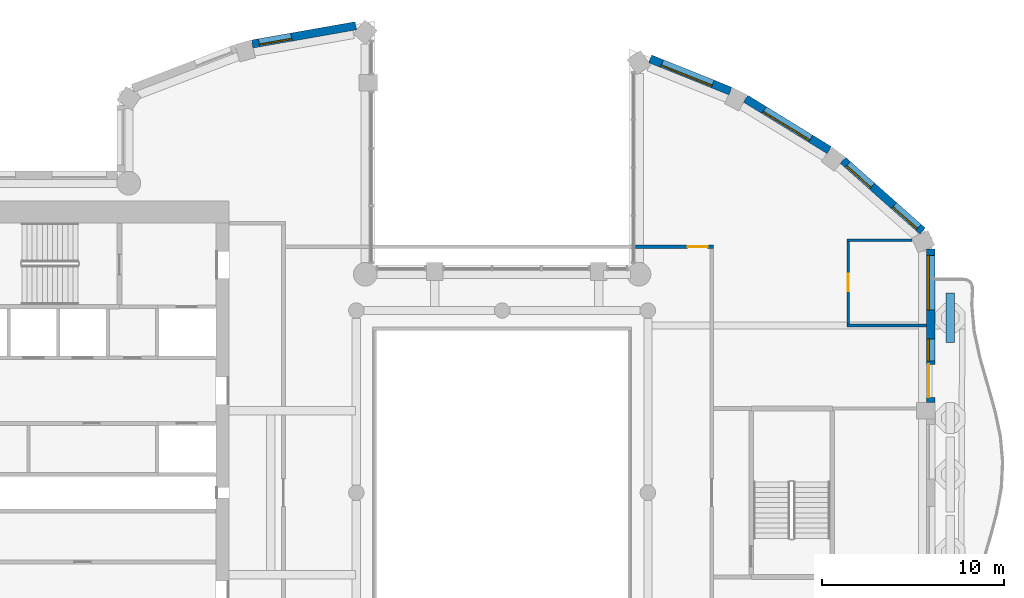
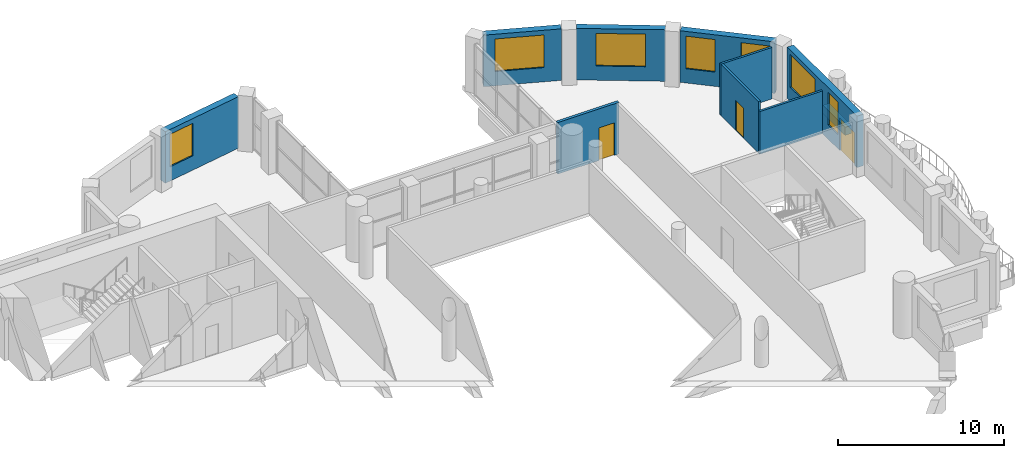
# One storey, part 7 of 14: 10 walls, 7 windows, 3 doors, 10 openings.
"""IFC4 building model written with IfcOpenShell, lengths in metres."""

from ifc_helpers import new_model, si_unit, direction, frame, frame_2d, origin, place, context, subcontext, project, spatial, rectangle, extrude, material, layer, layer_set, type_object, element, fill, save


model = new_model("IFC4")

# Units and contexts
model_context = context("Model", 3, precision=1e-05, world=origin(), true_north=direction((0.0, 1.0)))
body_context = subcontext(model_context, "Body", "Model", "MODEL_VIEW")
ifc_project = project(units=[si_unit("LENGTHUNIT", "METRE"), si_unit("AREAUNIT", "SQUARE_METRE"), si_unit("VOLUMEUNIT", "CUBIC_METRE"), si_unit("PLANEANGLEUNIT", "RADIAN"), si_unit("MASSUNIT", "GRAM", prefix="KILO")], contexts=[model_context])

# Site, building, storey
site_placement = place(None, origin())
site = spatial("IfcSite", under=ifc_project, at=site_placement, CompositionType="ELEMENT")
building_placement = place(site_placement, origin())
building = spatial("IfcBuilding", under=site, at=building_placement, Name="Cypress Arch Tower", CompositionType="ELEMENT")
storey_placement = place(building_placement, frame((0.0, 0.0, 255.699951171875)))
storey = spatial("IfcBuildingStorey", under=building, at=storey_placement, Name="L57", CompositionType="ELEMENT", Elevation=255.699951171875)

# Wall
ifc_material_1 = material(Name="Concrete C40/50, waterproofed", Category="concrete")
ifc_layer_1 = layer(ifc_material_1, 0.449951171875)
ifc_layer_set_1 = layer_set([ifc_layer_1], Name="Balcony planter wall PW450")
wall_type_1 = type_object("IfcWallType", Name="Balcony planter wall PW450", PredefinedType="SOLIDWALL", material=ifc_layer_set_1)
wall_1_placement = place(storey_placement, frame((25.60009765625, 8.25, 0.0), z_axis=(0.0, 0.0, 1.0), x_axis=(0.0, 1.0, 0.0)))
element("IfcWall", 1, at=wall_1_placement, inside=storey, type_object=wall_type_1, Name="Balcony planter wall L57-C17.5", PredefinedType="SOLIDWALL", context=body_context, shape_type="SweptSolid", body=[
    extrude(rectangle(XDim=2.699951171875, YDim=0.449951171875, at=frame_2d((1.35009765625, 0.0))), origin(), (0.0, 0.0, 1.0), 0.60009765625),
])

# Wall, opening, window
ifc_material_2 = material(Name="Brick (red buff blend)", Category="masonry")
ifc_layer_2 = layer(ifc_material_2, 0.449951171875)
ifc_layer_set_2 = layer_set([ifc_layer_2], Name="Brick pier and spandrel wall BW450")
wall_type_2 = type_object("IfcWallType", Name="Brick pier and spandrel wall BW450", PredefinedType="SOLIDWALL", material=ifc_layer_set_2)
wall_2_placement = place(storey_placement, frame((-7.028564453125, 25.63232421875, 0.0), z_axis=(0.0, 0.0, 1.0), x_axis=(-0.984797606634, -0.173705710808, 0.0)))
wall_2 = element("IfcWall", 2, at=wall_2_placement, inside=storey, type_object=wall_type_2, Name="Brick wall L57 C03.0", PredefinedType="SOLIDWALL", context=body_context, shape_type="SweptSolid", body=[
    extrude(rectangle(XDim=5.772216796875, YDim=0.449951171875, at=frame_2d((2.88623046875, 0.0))), origin(), (0.0, 0.0, 1.0), 3.800048828125),
])
opening_1_placement = place(wall_2_placement, frame((3.59326171875, 0.0, 1.050048828125)))
opening_1 = element("IfcOpeningElement", 3, at=opening_1_placement, cuts=wall_2, Name="Opening W180O", PredefinedType="OPENING", context=body_context, shape_type="SweptSolid", body=[
    extrude(rectangle(XDim=1.800048828125, YDim=2.39990234375, at=frame_2d((0.89990234375, 1.199951171875))), frame((0.0, 0.23486328125, 0.0), z_axis=(0.0, -1.0, 0.0), x_axis=(1.0, 0.0, 0.0)), (0.0, 0.0, 1.0), 0.469970703125),
])
ifc_material_3 = material(Name="Anodised aluminium, bronze finish, clear low-emissivity double glazing", Category="aluminium")
window_type_1 = type_object("IfcWindowType", Name="Window Office 1800x2400", PartitioningType="SINGLE_PANEL", PredefinedType="WINDOW", material=ifc_material_3)
window_1_placement = place(opening_1_placement, origin())
window_1 = element("IfcWindow", 4, at=window_1_placement, inside=storey, type_object=window_type_1, Name="Window L57 C03.0.2", OverallHeight=2.39990234375, OverallWidth=1.800048828125, PartitioningType="SINGLE_PANEL", PredefinedType="WINDOW", context=body_context, shape_type="SweptSolid", body=[
    extrude(rectangle(XDim=1.800048828125, YDim=2.39990234375, at=frame_2d((0.89990234375, 1.199951171875))), frame((0.0, 0.135009765625, 0.0), z_axis=(0.0, -1.0, 0.0), x_axis=(1.0, 0.0, 0.0)), (0.0, 0.0, 1.0), 0.06005859375),
])
fill(opening_1, window_1)

# Wall, openings, door, windows
wall_3_placement = place(storey_placement, frame((24.52490234375, 4.949951171875, 0.0), z_axis=(0.0, 0.0, 1.0), x_axis=(0.0, 1.0, 0.0)))
wall_3 = element("IfcWall", 5, at=wall_3_placement, inside=storey, type_object=wall_type_2, Name="Brick wall L57 C17.2", PredefinedType="SOLIDWALL", context=body_context, shape_type="SweptSolid", body=[
    extrude(rectangle(XDim=8.421875, YDim=0.449951171875, at=frame_2d((4.2109375, 0.0))), origin(), (0.0, 0.0, 1.0), 3.800048828125),
])
opening_2_placement = place(wall_3_placement, frame((0.291259765625, 0.0, 0.0)))
opening_2 = element("IfcOpeningElement", 6, at=opening_2_placement, cuts=wall_3, Name="Opening D-L57-C17.2.1", PredefinedType="OPENING", context=body_context, shape_type="SweptSolid", body=[
    extrude(rectangle(XDim=1.800048828125, YDim=2.39990234375, at=frame_2d((0.89990234375, 1.199951171875))), frame((0.0, 0.23486328125, 0.0), z_axis=(0.0, -1.0, 0.0), x_axis=(1.0, 0.0, 0.0)), (0.0, 0.0, 1.0), 0.469970703125),
])
opening_3_placement = place(wall_3_placement, frame((2.291259765625, 0.0, 1.050048828125)))
opening_3 = element("IfcOpeningElement", 7, at=opening_3_placement, cuts=wall_3, Name="Opening W120OD", PredefinedType="OPENING", context=body_context, shape_type="SweptSolid", body=[
    extrude(rectangle(XDim=1.199951171875, YDim=2.39990234375, at=frame_2d((0.60009765625, 1.199951171875))), frame((0.0, 0.23486328125, 0.0), z_axis=(0.0, -1.0, 0.0), x_axis=(1.0, 0.0, 0.0)), (0.0, 0.0, 1.0), 0.469970703125),
])
opening_4_placement = place(wall_3_placement, frame((5.073974609375, 0.0, 1.050048828125)))
opening_4 = element("IfcOpeningElement", 8, at=opening_4_placement, cuts=wall_3, Name="Opening W300OD", PredefinedType="OPENING", context=body_context, shape_type="SweptSolid", body=[
    extrude(rectangle(XDim=3.0, YDim=2.39990234375, at=frame_2d((1.5, 1.199951171875))), frame((0.0, 0.23486328125, 0.0), z_axis=(0.0, -1.0, 0.0), x_axis=(1.0, 0.0, 0.0)), (0.0, 0.0, 1.0), 0.469970703125),
])
ifc_material_4 = material(Name="Anodised aluminium, bronze finish, laminated low-emissivity double glazing, large-missile impact rated", Category="aluminium")
door_type_1 = type_object("IfcDoorType", Name="Balcony sliding door 1800x2400", OperationType="SLIDING_TO_LEFT", PredefinedType="DOOR", material=ifc_material_4)
door_1_placement = place(opening_2_placement, origin())
door_1 = element("IfcDoor", 9, at=door_1_placement, inside=storey, type_object=door_type_1, Name="Balcony door L57 C17.2.1", OperationType="SLIDING_TO_LEFT", OverallHeight=2.39990234375, OverallWidth=1.800048828125, PredefinedType="DOOR", context=body_context, shape_type="SweptSolid", body=[
    extrude(rectangle(XDim=1.800048828125, YDim=2.39990234375, at=frame_2d((0.89990234375, 1.199951171875))), frame((0.0, 0.1298828125, 0.0), z_axis=(0.0, -1.0, 0.0), x_axis=(1.0, 0.0, 0.0)), (0.0, 0.0, 1.0), 0.050048828125),
])
fill(opening_2, door_1)
ifc_material_5 = material(Name="Anodised aluminium, bronze finish, laminated low-emissivity double glazing, large-missile impact rated", Category="aluminium")
window_type_2 = type_object("IfcWindowType", Name="Window Office 1200x2400 debris-rated", PartitioningType="SINGLE_PANEL", PredefinedType="WINDOW", material=ifc_material_5)
window_2_placement = place(opening_3_placement, origin())
window_2 = element("IfcWindow", 10, at=window_2_placement, inside=storey, type_object=window_type_2, Name="Window L57 C17.2.1", OverallHeight=2.39990234375, OverallWidth=1.199951171875, PartitioningType="SINGLE_PANEL", PredefinedType="WINDOW", context=body_context, shape_type="SweptSolid", body=[
    extrude(rectangle(XDim=1.199951171875, YDim=2.39990234375, at=frame_2d((0.60009765625, 1.199951171875))), frame((0.0, 0.135009765625, 0.0), z_axis=(0.0, -1.0, 0.0), x_axis=(1.0, 0.0, 0.0)), (0.0, 0.0, 1.0), 0.06005859375),
])
fill(opening_3, window_2)
ifc_material_6 = material(Name="Anodised aluminium, bronze finish, laminated low-emissivity double glazing, large-missile impact rated", Category="aluminium")
window_type_3 = type_object("IfcWindowType", Name="Window Office 3000x2400 debris-rated", PartitioningType="SINGLE_PANEL", PredefinedType="WINDOW", material=ifc_material_6)
window_3_placement = place(opening_4_placement, origin())
window_3 = element("IfcWindow", 11, at=window_3_placement, inside=storey, type_object=window_type_3, Name="Window L57 C17.2.2", OverallHeight=2.39990234375, OverallWidth=3.0, PartitioningType="SINGLE_PANEL", PredefinedType="WINDOW", context=body_context, shape_type="SweptSolid", body=[
    extrude(rectangle(XDim=3.0, YDim=2.39990234375, at=frame_2d((1.5, 1.199951171875))), frame((0.0, 0.135009765625, 0.0), z_axis=(0.0, -1.0, 0.0), x_axis=(1.0, 0.0, 0.0)), (0.0, 0.0, 1.0), 0.06005859375),
])
fill(opening_4, window_3)

# Wall, openings, windows
wall_4_placement = place(storey_placement, frame((24.08056640625, 14.361083984375, 0.0), z_axis=(0.0, 0.0, 1.0), x_axis=(-0.747570482973, 0.664182484704, 0.0)))
wall_4 = element("IfcWall", 12, at=wall_4_placement, inside=storey, type_object=wall_type_2, Name="Brick wall L57 C18.0", PredefinedType="SOLIDWALL", context=body_context, shape_type="SweptSolid", body=[
    extrude(rectangle(XDim=5.849609375, YDim=0.449951171875, at=frame_2d((2.9248046875, 0.0))), origin(), (0.0, 0.0, 1.0), 3.800048828125),
])
opening_5_placement = place(wall_4_placement, frame((0.305419921875, 0.0, 1.050048828125)))
opening_5 = element("IfcOpeningElement", 13, at=opening_5_placement, cuts=wall_4, Name="Opening W180O", PredefinedType="OPENING", context=body_context, shape_type="SweptSolid", body=[
    extrude(rectangle(XDim=1.800048828125, YDim=2.39990234375, at=frame_2d((0.89990234375, 1.199951171875))), frame((0.0, 0.23486328125, 0.0), z_axis=(0.0, -1.0, 0.0), x_axis=(1.0, 0.0, 0.0)), (0.0, 0.0, 1.0), 0.469970703125),
])
opening_6_placement = place(wall_4_placement, frame((3.702880859375, 0.0, 1.050048828125)))
opening_6 = element("IfcOpeningElement", 14, at=opening_6_placement, cuts=wall_4, Name="Opening W180O", PredefinedType="OPENING", context=body_context, shape_type="SweptSolid", body=[
    extrude(rectangle(XDim=1.800048828125, YDim=2.39990234375, at=frame_2d((0.89990234375, 1.199951171875))), frame((0.0, 0.23486328125, 0.0), z_axis=(0.0, -1.0, 0.0), x_axis=(1.0, 0.0, 0.0)), (0.0, 0.0, 1.0), 0.469970703125),
])
window_4_placement = place(opening_5_placement, origin())
window_4 = element("IfcWindow", 15, at=window_4_placement, inside=storey, type_object=window_type_1, Name="Window L57 C18.0.1", OverallHeight=2.39990234375, OverallWidth=1.800048828125, PartitioningType="SINGLE_PANEL", PredefinedType="WINDOW", context=body_context, shape_type="SweptSolid", body=[
    extrude(rectangle(XDim=1.800048828125, YDim=2.39990234375, at=frame_2d((0.89990234375, 1.199951171875))), frame((0.0, 0.135009765625, 0.0), z_axis=(0.0, -1.0, 0.0), x_axis=(1.0, 0.0, 0.0)), (0.0, 0.0, 1.0), 0.06005859375),
])
fill(opening_5, window_4)
window_5_placement = place(opening_6_placement, origin())
window_5 = element("IfcWindow", 16, at=window_5_placement, inside=storey, type_object=window_type_1, Name="Window L57 C18.0.2", OverallHeight=2.39990234375, OverallWidth=1.800048828125, PartitioningType="SINGLE_PANEL", PredefinedType="WINDOW", context=body_context, shape_type="SweptSolid", body=[
    extrude(rectangle(XDim=1.800048828125, YDim=2.39990234375, at=frame_2d((0.89990234375, 1.199951171875))), frame((0.0, 0.135009765625, 0.0), z_axis=(0.0, -1.0, 0.0), x_axis=(1.0, 0.0, 0.0)), (0.0, 0.0, 1.0), 0.06005859375),
])
fill(opening_6, window_5)

# Wall, opening, window
wall_5_placement = place(storey_placement, frame((18.953369140625, 18.806396484375, 0.0), z_axis=(0.0, 0.0, 1.0), x_axis=(-0.851860664503, 0.523768468193, 0.0)))
wall_5 = element("IfcWall", 17, at=wall_5_placement, inside=storey, type_object=wall_type_2, Name="Brick wall L57 C19.0", PredefinedType="SOLIDWALL", context=body_context, shape_type="SweptSolid", body=[
    extrude(rectangle(XDim=5.3837890625, YDim=0.449951171875, at=frame_2d((2.69189453125, 0.0))), origin(), (0.0, 0.0, 1.0), 3.800048828125),
])
opening_7_placement = place(wall_5_placement, frame((1.19189453125, 0.0, 1.050048828125)))
opening_7 = element("IfcOpeningElement", 18, at=opening_7_placement, cuts=wall_5, Name="Opening W300O", PredefinedType="OPENING", context=body_context, shape_type="SweptSolid", body=[
    extrude(rectangle(XDim=3.0, YDim=2.39990234375, at=frame_2d((1.5, 1.199951171875))), frame((0.0, 0.23486328125, 0.0), z_axis=(0.0, -1.0, 0.0), x_axis=(1.0, 0.0, 0.0)), (0.0, 0.0, 1.0), 0.469970703125),
])
ifc_material_7 = material(Name="Anodised aluminium, bronze finish, clear low-emissivity double glazing", Category="aluminium")
window_type_4 = type_object("IfcWindowType", Name="Window Office 3000x2400", PartitioningType="SINGLE_PANEL", PredefinedType="WINDOW", material=ifc_material_7)
window_6_placement = place(opening_7_placement, origin())
window_6 = element("IfcWindow", 19, at=window_6_placement, inside=storey, type_object=window_type_4, Name="Window L57 C19.0.1", OverallHeight=2.39990234375, OverallWidth=3.0, PartitioningType="SINGLE_PANEL", PredefinedType="WINDOW", context=body_context, shape_type="SweptSolid", body=[
    extrude(rectangle(XDim=3.0, YDim=2.39990234375, at=frame_2d((1.5, 1.199951171875))), frame((0.0, 0.135009765625, 0.0), z_axis=(0.0, -1.0, 0.0), x_axis=(1.0, 0.0, 0.0)), (0.0, 0.0, 1.0), 0.06005859375),
])
fill(opening_7, window_6)

wall_6_placement = place(storey_placement, frame((13.529296875, 22.04833984375, 0.0), z_axis=(0.0, 0.0, 1.0), x_axis=(-0.927957332619, 0.372686448424, 0.0)))
wall_6 = element("IfcWall", 20, at=wall_6_placement, inside=storey, type_object=wall_type_2, Name="Brick wall L57 C20.0", PredefinedType="SOLIDWALL", context=body_context, shape_type="SweptSolid", body=[
    extrude(rectangle(XDim=4.741455078125, YDim=0.449951171875, at=frame_2d((2.37060546875, 0.0))), origin(), (0.0, 0.0, 1.0), 3.800048828125),
])
opening_8_placement = place(wall_6_placement, frame((1.046630859375, 0.0, 1.050048828125)))
opening_8 = element("IfcOpeningElement", 21, at=opening_8_placement, cuts=wall_6, Name="Opening W300O", PredefinedType="OPENING", context=body_context, shape_type="SweptSolid", body=[
    extrude(rectangle(XDim=3.0, YDim=2.39990234375, at=frame_2d((1.5, 1.199951171875))), frame((0.0, 0.23486328125, 0.0), z_axis=(0.0, -1.0, 0.0), x_axis=(1.0, 0.0, 0.0)), (0.0, 0.0, 1.0), 0.469970703125),
])
window_7_placement = place(opening_8_placement, origin())
window_7 = element("IfcWindow", 22, at=window_7_placement, inside=storey, type_object=window_type_4, Name="Window L57 C20.0.1", OverallHeight=2.39990234375, OverallWidth=3.0, PartitioningType="SINGLE_PANEL", PredefinedType="WINDOW", context=body_context, shape_type="SweptSolid", body=[
    extrude(rectangle(XDim=3.0, YDim=2.39990234375, at=frame_2d((1.5, 1.199951171875))), frame((0.0, 0.135009765625, 0.0), z_axis=(0.0, -1.0, 0.0), x_axis=(1.0, 0.0, 0.0)), (0.0, 0.0, 1.0), 0.06005859375),
])
fill(opening_8, window_7)

# Wall, opening, door
ifc_material_8 = material(Name="Concrete blockwork, plastered, rated", Category="masonry")
ifc_layer_3 = layer(ifc_material_8, 0.199951171875)
ifc_layer_set_3 = layer_set([ifc_layer_3], Name="Corridor wall FW200")
wall_type_3 = type_object("IfcWallType", Name="Corridor wall FW200", PredefinedType="PARTITIONING", material=ifc_layer_set_3)
wall_7_placement = place(storey_placement, frame((8.330078125, 13.5, 0.0), z_axis=(0.0, 0.0, 1.0), x_axis=(1.0, 0.0, 0.0)))
wall_7 = element("IfcWall", 23, at=wall_7_placement, inside=storey, type_object=wall_type_3, Name="Corridor wall", PredefinedType="PARTITIONING", context=body_context, shape_type="SweptSolid", body=[
    extrude(rectangle(XDim=4.27001953125, YDim=0.199951171875, at=frame_2d((2.135009765625, 0.0))), origin(), (0.0, 0.0, 1.0), 3.800048828125),
])
opening_9_placement = place(wall_7_placement, frame((2.85009765625, 0.0, 0.0)))
opening_9 = element("IfcOpeningElement", 24, at=opening_9_placement, cuts=wall_7, Name="Opening D01", PredefinedType="OPENING", context=body_context, shape_type="SweptSolid", body=[
    extrude(rectangle(XDim=1.10009765625, YDim=2.39990234375, at=frame_2d((0.550048828125, 1.199951171875))), frame((0.0, 0.10986328125, 0.0), z_axis=(0.0, -1.0, 0.0), x_axis=(1.0, 0.0, 0.0)), (0.0, 0.0, 1.0), 0.219970703125),
])
ifc_material_9 = material(Name="Timber flush door, fire resisting, self-closing", Category="wood")
door_type_2 = type_object("IfcDoorType", Name="Unit entrance door D01 1100x2400", OperationType="SINGLE_SWING_LEFT", PredefinedType="DOOR", material=ifc_material_9)
door_2_placement = place(opening_9_placement, origin())
door_2 = element("IfcDoor", 25, at=door_2_placement, inside=storey, type_object=door_type_2, Name="Unit entrance door", OperationType="SINGLE_SWING_RIGHT", OverallHeight=2.39990234375, OverallWidth=1.10009765625, PredefinedType="DOOR", context=body_context, shape_type="SweptSolid", body=[
    extrude(rectangle(XDim=1.10009765625, YDim=2.39990234375, at=frame_2d((0.550048828125, 1.199951171875))), frame((0.0, 0.02490234375, 0.0), z_axis=(0.0, -1.0, 0.0), x_axis=(1.0, 0.0, 0.0)), (0.0, 0.0, 1.0), 0.050048828125),
])
fill(opening_9, door_2)

ifc_material_10 = material(Name="Blockwork, plastered both sides", Category="masonry")
ifc_layer_4 = layer(ifc_material_10, 0.14990234375)
ifc_layer_set_4 = layer_set([ifc_layer_4], Name="Partition PW150")
wall_type_4 = type_object("IfcWallType", Name="Partition PW150", PredefinedType="PARTITIONING", material=ifc_layer_set_4)
wall_8_placement = place(storey_placement, frame((20.0, 9.258056640625, 0.0), z_axis=(0.0, 0.0, 1.0), x_axis=(0.0, 1.0, 0.0)))
wall_8 = element("IfcWall", 26, at=wall_8_placement, inside=storey, type_object=wall_type_4, Name="Partition", PredefinedType="PARTITIONING", context=body_context, shape_type="SweptSolid", body=[
    extrude(rectangle(XDim=4.531982421875, YDim=0.14990234375, at=frame_2d((2.26611328125, 0.0))), origin(), (0.0, 0.0, 1.0), 3.800048828125),
])
opening_10_placement = place(wall_8_placement, frame((1.800048828125, 0.0, 0.0)))
opening_10 = element("IfcOpeningElement", 27, at=opening_10_placement, cuts=wall_8, Name="Opening D12", PredefinedType="OPENING", context=body_context, shape_type="SweptSolid", body=[
    extrude(rectangle(XDim=0.949951171875, YDim=2.199951171875, at=frame_2d((0.47509765625, 1.10009765625))), frame((0.0, 0.0849609375, 0.0), z_axis=(0.0, -1.0, 0.0), x_axis=(1.0, 0.0, 0.0)), (0.0, 0.0, 1.0), 0.169921875),
])
ifc_material_11 = material(Name="Timber flush door", Category="wood")
door_type_3 = type_object("IfcDoorType", Name="Room door D12 950x2200", OperationType="SINGLE_SWING_LEFT", PredefinedType="DOOR", material=ifc_material_11)
door_3_placement = place(opening_10_placement, origin())
door_3 = element("IfcDoor", 28, at=door_3_placement, inside=storey, type_object=door_type_3, Name="Room door", OperationType="SINGLE_SWING_RIGHT", OverallHeight=2.199951171875, OverallWidth=0.949951171875, PredefinedType="DOOR", context=body_context, shape_type="SweptSolid", body=[
    extrude(rectangle(XDim=0.949951171875, YDim=2.199951171875, at=frame_2d((0.47509765625, 1.10009765625))), frame((0.0, 0.02490234375, 0.0), z_axis=(0.0, -1.0, 0.0), x_axis=(1.0, 0.0, 0.0)), (0.0, 0.0, 1.0), 0.050048828125),
])
fill(opening_10, door_3)

# Walls
wall_9_placement = place(storey_placement, frame((19.925048828125, 9.18310546875, 0.0), z_axis=(0.0, 0.0, 1.0), x_axis=(1.0, 0.0, 0.0)))
element("IfcWall", 29, at=wall_9_placement, inside=storey, type_object=wall_type_4, Name="Partition", PredefinedType="PARTITIONING", context=body_context, shape_type="SweptSolid", body=[
    extrude(rectangle(XDim=4.375, YDim=0.14990234375, at=frame_2d((2.1875, 0.0))), origin(), (0.0, 0.0, 1.0), 3.150146484375),
])
wall_10_placement = place(storey_placement, frame((19.925048828125, 13.864990234375, 0.0), z_axis=(0.0, 0.0, 1.0), x_axis=(1.0, 0.0, 0.0)))
element("IfcWall", 30, at=wall_10_placement, inside=storey, type_object=wall_type_4, Name="Partition", PredefinedType="PARTITIONING", context=body_context, shape_type="SweptSolid", body=[
    extrude(rectangle(XDim=3.568115234375, YDim=0.14990234375, at=frame_2d((1.7841796875, 0.0))), origin(), (0.0, 0.0, 1.0), 3.800048828125),
])

save(model, "model.ifc")
